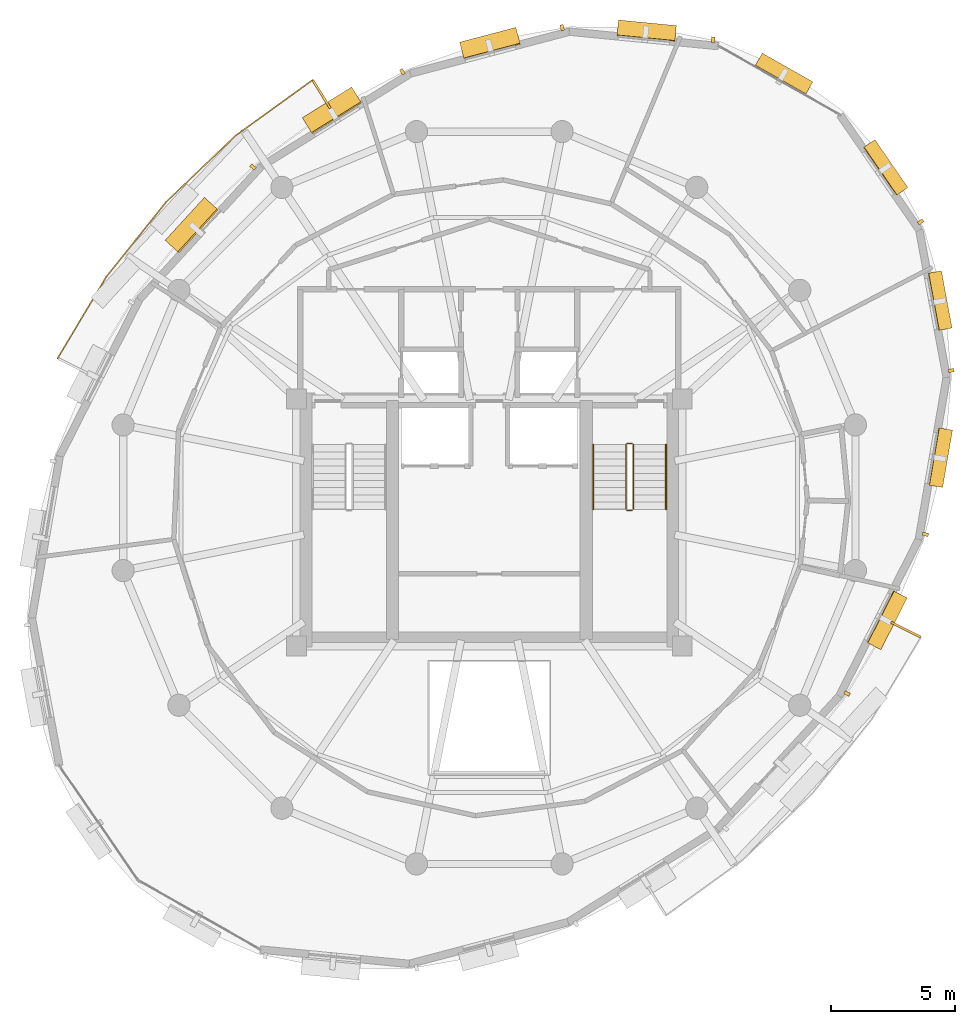
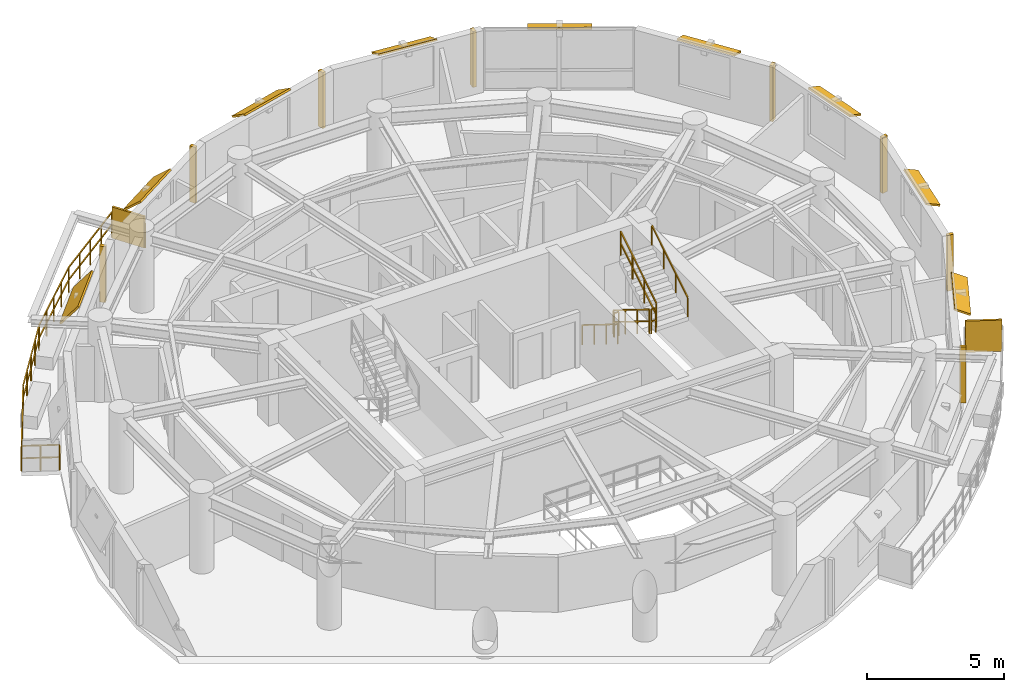
# One storey, part 12 of 12: 19 shading devices, 7 railings.
"""IFC4 building model written with IfcOpenShell, lengths in metres."""

from ifc_helpers import new_model, si_unit, direction, frame, origin, origin_2d, place, context, subcontext, project, spatial, rectangle, extrude, material, layer, layer_set, type_object, element, save


model = new_model("IFC4")

# Units and contexts
model_context = context("Model", 3, precision=1e-05, world=origin(), true_north=direction((0.0, 1.0)))
body_context = subcontext(model_context, "Body", "Model", "MODEL_VIEW")
ifc_project = project(units=[si_unit("LENGTHUNIT", "METRE"), si_unit("AREAUNIT", "SQUARE_METRE"), si_unit("VOLUMEUNIT", "CUBIC_METRE"), si_unit("PLANEANGLEUNIT", "RADIAN"), si_unit("MASSUNIT", "GRAM", prefix="KILO"), si_unit("THERMODYNAMICTEMPERATUREUNIT", "KELVIN"), si_unit("POWERUNIT", "WATT")], contexts=[model_context])

# Site, building, storey
site_placement = place(None, origin())
site = spatial("IfcSite", under=ifc_project, at=site_placement, CompositionType="ELEMENT")
building_placement = place(site_placement, origin())
building = spatial("IfcBuilding", under=site, at=building_placement, Name="Ocrelia Relay Tower", CompositionType="ELEMENT")
storey_placement = place(building_placement, frame((0.0, 0.0, 230.39990234375)))
storey = spatial("IfcBuildingStorey", under=building, at=storey_placement, Name="L56", CompositionType="ELEMENT", Elevation=230.39990234375)

# Railings
ifc_material_1 = material(Name="Steel S355 balustrade", Category="steel")
railing_type_1 = type_object("IfcRailingType", Name="RL-EXT-GUARD-1150", PredefinedType="GUARDRAIL", material=ifc_material_1)
railing_1_placement = place(storey_placement, frame((17.78173828125, 31.015625, 0.0)))
element("IfcRailing", 1, at=railing_1_placement, inside=storey, type_object=railing_type_1, Name="L56 Loggia Balcony Guard Rail B1", PredefinedType="GUARDRAIL", context=body_context, shape_type="SweptSolid", body=[
    extrude(rectangle(XDim=0.048095703125, YDim=0.048095703125, at=origin_2d()), frame((0.0, 0.0, 1.1259765625), z_axis=(-0.892456368806, 0.451133716073, 0.0), x_axis=(-0.451133716073, -0.892456368806, 0.0)), (0.0, 0.0, 1.0), 1.3935546875),
    extrude(rectangle(XDim=0.048095703125, YDim=0.048095703125, at=origin_2d()), frame((0.0, 0.0, 0.574951171875), z_axis=(-0.892456368806, 0.451133716073, 0.0), x_axis=(-0.451133716073, -0.892456368806, 0.0)), (0.0, 0.0, 1.0), 1.3935546875),
    extrude(rectangle(XDim=0.048095703125, YDim=0.048095703125, at=origin_2d()), frame((-1.24365234375, 0.628662109375, 1.1259765625), z_axis=(0.512868634031, 0.858467101424, 0.0), x_axis=(-0.858467101424, 0.512868634031, 0.0)), (0.0, 0.0, 1.0), 1.9208984375),
    extrude(rectangle(XDim=0.048095703125, YDim=0.048095703125, at=origin_2d()), frame((-1.24365234375, 0.628662109375, 0.574951171875), z_axis=(0.512868634031, 0.858467101424, 0.0), x_axis=(-0.858467101424, 0.512868634031, 0.0)), (0.0, 0.0, 1.0), 1.9208984375),
    extrude(rectangle(XDim=0.048095703125, YDim=0.048095703125, at=origin_2d()), frame((-0.258544921875, 2.277587890625, 1.1259765625), z_axis=(0.512962296898, 0.858411138069, 0.0), x_axis=(-0.858411138069, 0.512962296898, 0.0)), (0.0, 0.0, 1.0), 1.9208984375),
    extrude(rectangle(XDim=0.048095703125, YDim=0.048095703125, at=origin_2d()), frame((-0.258544921875, 2.277587890625, 0.574951171875), z_axis=(0.512962296898, 0.858411138069, 0.0), x_axis=(-0.858411138069, 0.512962296898, 0.0)), (0.0, 0.0, 1.0), 1.9208984375),
    extrude(rectangle(XDim=0.048095703125, YDim=0.048095703125, at=origin_2d()), frame((0.726806640625, 3.926513671875, 1.1259765625), z_axis=(0.624595333257, 0.780948570441, 0.0), x_axis=(-0.780948570441, 0.624595333257, 0.0)), (0.0, 0.0, 1.0), 3.8818359375),
    extrude(rectangle(XDim=0.048095703125, YDim=0.048095703125, at=origin_2d()), frame((0.726806640625, 3.926513671875, 0.574951171875), z_axis=(0.624595333257, 0.780948570441, 0.0), x_axis=(-0.780948570441, 0.624595333257, 0.0)), (0.0, 0.0, 1.0), 3.8818359375),
    extrude(rectangle(XDim=0.048095703125, YDim=0.048095703125, at=origin_2d()), frame((3.1513671875, 6.9580078125, 1.1259765625), z_axis=(0.7235154417, 0.690308196114, 0.0), x_axis=(-0.690308196114, 0.7235154417, 0.0)), (0.0, 0.0, 1.0), 3.8818359375),
    extrude(rectangle(XDim=0.048095703125, YDim=0.048095703125, at=origin_2d()), frame((3.1513671875, 6.9580078125, 0.574951171875), z_axis=(0.7235154417, 0.690308196114, 0.0), x_axis=(-0.690308196114, 0.7235154417, 0.0)), (0.0, 0.0, 1.0), 3.8818359375),
    extrude(rectangle(XDim=0.048095703125, YDim=0.048095703125, at=origin_2d()), frame((5.9599609375, 9.6376953125, 1.1259765625), z_axis=(0.810535085156, 0.585690085055, 0.0), x_axis=(-0.585690085055, 0.810535085156, 0.0)), (0.0, 0.0, 1.0), 1.9208984375),
    extrude(rectangle(XDim=0.048095703125, YDim=0.048095703125, at=origin_2d()), frame((5.9599609375, 9.6376953125, 0.574951171875), z_axis=(0.810535085156, 0.585690085055, 0.0), x_axis=(-0.585690085055, 0.810535085156, 0.0)), (0.0, 0.0, 1.0), 1.9208984375),
    extrude(rectangle(XDim=0.048095703125, YDim=0.048095703125, at=origin_2d()), frame((7.516845703125, 10.7626953125, 1.1259765625), z_axis=(0.810431130374, 0.585833920937, 0.0), x_axis=(-0.585833920937, 0.810431130374, 0.0)), (0.0, 0.0, 1.0), 1.920654296875),
    extrude(rectangle(XDim=0.048095703125, YDim=0.048095703125, at=origin_2d()), frame((7.516845703125, 10.7626953125, 0.574951171875), z_axis=(0.810431130374, 0.585833920937, 0.0), x_axis=(-0.585833920937, 0.810431130374, 0.0)), (0.0, 0.0, 1.0), 1.920654296875),
    extrude(rectangle(XDim=0.048095703125, YDim=0.048095703125, at=origin_2d()), frame((9.073486328125, 11.887939453125, 1.1259765625), z_axis=(0.527192759195, -0.849745723527, 0.0), x_axis=(0.849745723527, 0.527192759195, 0.0)), (0.0, 0.0, 1.0), 1.3935546875),
    extrude(rectangle(XDim=0.048095703125, YDim=0.048095703125, at=origin_2d()), frame((9.073486328125, 11.887939453125, 0.574951171875), z_axis=(0.527192759195, -0.849745723527, 0.0), x_axis=(0.849745723527, 0.527192759195, 0.0)), (0.0, 0.0, 1.0), 1.3935546875),
    extrude(rectangle(XDim=0.0419921875, YDim=0.0419921875, at=origin_2d()), origin(), (0.0, 0.0, 1.0), 1.101806640625),
    extrude(rectangle(XDim=0.0419921875, YDim=0.0419921875, at=origin_2d()), frame((-0.621826171875, 0.314453125, 0.0)), (0.0, 0.0, 1.0), 1.101806640625),
    extrude(rectangle(XDim=0.0419921875, YDim=0.0419921875, at=origin_2d()), frame((-1.24365234375, 0.628662109375, 0.0)), (0.0, 0.0, 1.0), 1.101806640625),
    extrude(rectangle(XDim=0.0419921875, YDim=0.0419921875, at=origin_2d()), frame((-0.7509765625, 1.453125, 0.0)), (0.0, 0.0, 1.0), 1.101806640625),
    extrude(rectangle(XDim=0.0419921875, YDim=0.0419921875, at=origin_2d()), frame((-0.258544921875, 2.277587890625, 0.0)), (0.0, 0.0, 1.0), 1.101806640625),
    extrude(rectangle(XDim=0.0419921875, YDim=0.0419921875, at=origin_2d()), frame((0.234130859375, 3.10205078125, 0.0)), (0.0, 0.0, 1.0), 1.101806640625),
    extrude(rectangle(XDim=0.0419921875, YDim=0.0419921875, at=origin_2d()), frame((0.726806640625, 3.926513671875, 0.0)), (0.0, 0.0, 1.0), 1.101806640625),
    extrude(rectangle(XDim=0.0419921875, YDim=0.0419921875, at=origin_2d()), frame((1.3330078125, 4.684326171875, 0.0)), (0.0, 0.0, 1.0), 1.101806640625),
    extrude(rectangle(XDim=0.0419921875, YDim=0.0419921875, at=origin_2d()), frame((1.93896484375, 5.4423828125, 0.0)), (0.0, 0.0, 1.0), 1.101806640625),
    extrude(rectangle(XDim=0.0419921875, YDim=0.0419921875, at=origin_2d()), frame((2.545166015625, 6.2001953125, 0.0)), (0.0, 0.0, 1.0), 1.101806640625),
    extrude(rectangle(XDim=0.0419921875, YDim=0.0419921875, at=origin_2d()), frame((3.1513671875, 6.9580078125, 0.0)), (0.0, 0.0, 1.0), 1.101806640625),
    extrude(rectangle(XDim=0.0419921875, YDim=0.0419921875, at=origin_2d()), frame((3.853515625, 7.6279296875, 0.0)), (0.0, 0.0, 1.0), 1.101806640625),
    extrude(rectangle(XDim=0.0419921875, YDim=0.0419921875, at=origin_2d()), frame((4.5556640625, 8.2978515625, 0.0)), (0.0, 0.0, 1.0), 1.101806640625),
    extrude(rectangle(XDim=0.0419921875, YDim=0.0419921875, at=origin_2d()), frame((5.2578125, 8.9677734375, 0.0)), (0.0, 0.0, 1.0), 1.101806640625),
    extrude(rectangle(XDim=0.0419921875, YDim=0.0419921875, at=origin_2d()), frame((5.9599609375, 9.6376953125, 0.0)), (0.0, 0.0, 1.0), 1.101806640625),
    extrude(rectangle(XDim=0.0419921875, YDim=0.0419921875, at=origin_2d()), frame((6.73828125, 10.2001953125, 0.0)), (0.0, 0.0, 1.0), 1.101806640625),
    extrude(rectangle(XDim=0.0419921875, YDim=0.0419921875, at=origin_2d()), frame((7.516845703125, 10.7626953125, 0.0)), (0.0, 0.0, 1.0), 1.101806640625),
    extrude(rectangle(XDim=0.0419921875, YDim=0.0419921875, at=origin_2d()), frame((8.295166015625, 11.3251953125, 0.0)), (0.0, 0.0, 1.0), 1.101806640625),
    extrude(rectangle(XDim=0.0419921875, YDim=0.0419921875, at=origin_2d()), frame((9.073486328125, 11.887939453125, 0.0)), (0.0, 0.0, 1.0), 1.101806640625),
    extrude(rectangle(XDim=0.0419921875, YDim=0.0419921875, at=origin_2d()), frame((9.44091796875, 11.2958984375, 0.0)), (0.0, 0.0, 1.0), 1.101806640625),
    extrude(rectangle(XDim=0.0419921875, YDim=0.0419921875, at=origin_2d()), frame((9.80810546875, 10.703857421875, 0.0)), (0.0, 0.0, 1.0), 1.101806640625),
])
railing_type_2 = type_object("IfcRailingType", Name="RL-STAIR-GUARD", PredefinedType="GUARDRAIL", material=ifc_material_1)
railing_2_placement = place(storey_placement, frame((39.530029296875, 28.14990234375, 0.18017578125)))
element("IfcRailing", 2, at=railing_2_placement, inside=storey, type_object=railing_type_2, Name="L56 ST2 stair guard 1", PredefinedType="GUARDRAIL", context=body_context, shape_type="SweptSolid", body=[
    extrude(rectangle(XDim=0.048095703125, YDim=0.048095703125, at=origin_2d()), frame((0.0, 0.0, 1.076171875), z_axis=(0.0, -0.849646306263, 0.527352969322), x_axis=(1.0, 0.0, 0.0)), (0.0, 0.0, 1.0), 3.07177734375),
    extrude(rectangle(XDim=0.048095703125, YDim=0.048095703125, at=origin_2d()), frame((0.0, 0.0, 0.550048828125), z_axis=(0.0, -0.849646306263, 0.527352969322), x_axis=(1.0, 0.0, 0.0)), (0.0, 0.0, 1.0), 3.07177734375),
    extrude(rectangle(XDim=0.0419921875, YDim=0.0419921875, at=origin_2d()), origin(), (0.0, 0.0, 1.0), 1.052001953125),
    extrude(rectangle(XDim=0.0419921875, YDim=0.0419921875, at=origin_2d()), frame((0.0, -0.869873046875, 0.5400390625)), (0.0, 0.0, 1.0), 1.052001953125),
    extrude(rectangle(XDim=0.0419921875, YDim=0.0419921875, at=origin_2d()), frame((0.0, -1.739990234375, 1.079833984375)), (0.0, 0.0, 1.0), 1.052001953125),
    extrude(rectangle(XDim=0.0419921875, YDim=0.0419921875, at=origin_2d()), frame((0.0, -2.60986328125, 1.619873046875)), (0.0, 0.0, 1.0), 1.052001953125),
])
railing_3_placement = place(storey_placement, frame((39.580078125, 25.489990234375, 1.800048828125)))
element("IfcRailing", 3, at=railing_3_placement, inside=storey, type_object=railing_type_2, Name="L56 ST2 stair guard 2", PredefinedType="GUARDRAIL", context=body_context, shape_type="SweptSolid", body=[
    extrude(rectangle(XDim=0.048095703125, YDim=0.048095703125, at=origin_2d()), frame((0.0, 0.0, 1.076171875), z_axis=(1.0, 0.0, 0.0), x_axis=(0.0, 1.0, 0.0)), (0.0, 0.0, 1.0), 0.199951171875),
    extrude(rectangle(XDim=0.048095703125, YDim=0.048095703125, at=origin_2d()), frame((0.0, 0.0, 0.550048828125), z_axis=(1.0, 0.0, 0.0), x_axis=(0.0, 1.0, 0.0)), (0.0, 0.0, 1.0), 0.199951171875),
    extrude(rectangle(XDim=0.0419921875, YDim=0.0419921875, at=origin_2d()), origin(), (0.0, 0.0, 1.0), 1.052001953125),
    extrude(rectangle(XDim=0.0419921875, YDim=0.0419921875, at=origin_2d()), frame((0.199951171875, 0.0, 0.0)), (0.0, 0.0, 1.0), 1.052001953125),
])
railing_4_placement = place(storey_placement, frame((39.830078125, 25.5400390625, 1.97998046875)))
element("IfcRailing", 4, at=railing_4_placement, inside=storey, type_object=railing_type_2, Name="L56 ST2 stair guard 3", PredefinedType="GUARDRAIL", context=body_context, shape_type="SweptSolid", body=[
    extrude(rectangle(XDim=0.048095703125, YDim=0.048095703125, at=origin_2d()), frame((0.0, 0.0, 1.076171875), z_axis=(0.0, 0.849610693518, 0.52741034258), x_axis=(-1.0, 0.0, 0.0)), (0.0, 0.0, 1.0), 3.07177734375),
    extrude(rectangle(XDim=0.048095703125, YDim=0.048095703125, at=origin_2d()), frame((0.0, 0.0, 0.550048828125), z_axis=(0.0, 0.849610693518, 0.52741034258), x_axis=(-1.0, 0.0, 0.0)), (0.0, 0.0, 1.0), 3.07177734375),
    extrude(rectangle(XDim=0.0419921875, YDim=0.0419921875, at=origin_2d()), origin(), (0.0, 0.0, 1.0), 1.052001953125),
    extrude(rectangle(XDim=0.0419921875, YDim=0.0419921875, at=origin_2d()), frame((0.0, 0.869873046875, 0.5400390625)), (0.0, 0.0, 1.0), 1.052001953125),
    extrude(rectangle(XDim=0.0419921875, YDim=0.0419921875, at=origin_2d()), frame((0.0, 1.739990234375, 1.080078125)), (0.0, 0.0, 1.0), 1.052001953125),
    extrude(rectangle(XDim=0.0419921875, YDim=0.0419921875, at=origin_2d()), frame((0.0, 2.60986328125, 1.6201171875)), (0.0, 0.0, 1.0), 1.052001953125),
])
railing_5_placement = place(storey_placement, frame((39.580078125, 28.199951171875, 0.0)))
element("IfcRailing", 5, at=railing_5_placement, inside=storey, type_object=railing_type_2, Name="L56 ST2 stair guard 4", PredefinedType="GUARDRAIL", context=body_context, shape_type="SweptSolid", body=[
    extrude(rectangle(XDim=0.048095703125, YDim=0.048095703125, at=origin_2d()), frame((0.0, 0.0, 1.076171875), z_axis=(1.0, 0.0, 0.0), x_axis=(0.0, 1.0, 0.0)), (0.0, 0.0, 1.0), 0.199951171875),
    extrude(rectangle(XDim=0.048095703125, YDim=0.048095703125, at=origin_2d()), frame((0.0, 0.0, 0.550048828125), z_axis=(1.0, 0.0, 0.0), x_axis=(0.0, 1.0, 0.0)), (0.0, 0.0, 1.0), 0.199951171875),
    extrude(rectangle(XDim=0.0419921875, YDim=0.0419921875, at=origin_2d()), origin(), (0.0, 0.0, 1.0), 1.052001953125),
    extrude(rectangle(XDim=0.0419921875, YDim=0.0419921875, at=origin_2d()), frame((0.199951171875, 0.0, 0.0)), (0.0, 0.0, 1.0), 1.052001953125),
])
ifc_material_2 = material(Name="Steel S355 tubular handrail", Category="steel")
railing_type_3 = type_object("IfcRailingType", Name="RL-STAIR-HAND", PredefinedType="HANDRAIL", material=ifc_material_2)
railing_6_placement = place(storey_placement, frame((38.2099609375, 28.14990234375, 0.18017578125)))
element("IfcRailing", 6, at=railing_6_placement, inside=storey, type_object=railing_type_3, Name="L56 ST2 stair handrail 1", PredefinedType="HANDRAIL", context=body_context, shape_type="SweptSolid", body=[
    extrude(rectangle(XDim=0.048095703125, YDim=0.048095703125, at=origin_2d()), frame((0.0, 0.0, 0.8759765625), z_axis=(0.0, -0.849646306263, 0.527352969322), x_axis=(1.0, 0.0, 0.0)), (0.0, 0.0, 1.0), 3.07177734375),
    extrude(rectangle(XDim=0.0419921875, YDim=0.0419921875, at=origin_2d()), origin(), (0.0, 0.0, 1.0), 0.851806640625),
    extrude(rectangle(XDim=0.0419921875, YDim=0.0419921875, at=origin_2d()), frame((0.0, -0.869873046875, 0.5400390625)), (0.0, 0.0, 1.0), 0.851806640625),
    extrude(rectangle(XDim=0.0419921875, YDim=0.0419921875, at=origin_2d()), frame((0.0, -1.739990234375, 1.079833984375)), (0.0, 0.0, 1.0), 0.851806640625),
    extrude(rectangle(XDim=0.0419921875, YDim=0.0419921875, at=origin_2d()), frame((0.0, -2.60986328125, 1.619873046875)), (0.0, 0.0, 1.0), 0.851806640625),
])
railing_7_placement = place(storey_placement, frame((41.14990234375, 25.5400390625, 1.97998046875)))
element("IfcRailing", 7, at=railing_7_placement, inside=storey, type_object=railing_type_3, Name="L56 ST2 stair handrail 2", PredefinedType="HANDRAIL", context=body_context, shape_type="SweptSolid", body=[
    extrude(rectangle(XDim=0.048095703125, YDim=0.048095703125, at=origin_2d()), frame((0.0, 0.0, 0.8759765625), z_axis=(0.0, 0.849610693518, 0.52741034258), x_axis=(-1.0, 0.0, 0.0)), (0.0, 0.0, 1.0), 3.07177734375),
    extrude(rectangle(XDim=0.0419921875, YDim=0.0419921875, at=origin_2d()), origin(), (0.0, 0.0, 1.0), 0.851806640625),
    extrude(rectangle(XDim=0.0419921875, YDim=0.0419921875, at=origin_2d()), frame((0.0, 0.869873046875, 0.5400390625)), (0.0, 0.0, 1.0), 0.851806640625),
    extrude(rectangle(XDim=0.0419921875, YDim=0.0419921875, at=origin_2d()), frame((0.0, 1.739990234375, 1.080078125)), (0.0, 0.0, 1.0), 0.851806640625),
    extrude(rectangle(XDim=0.0419921875, YDim=0.0419921875, at=origin_2d()), frame((0.0, 2.60986328125, 1.6201171875)), (0.0, 0.0, 1.0), 0.851806640625),
])

# Shading devices
ifc_material_3 = material(Name="Perforated oxide terracotta solar screen", Category="masonry")
ifc_layer_1 = layer(ifc_material_3, 0.090087890625, Name="Perforated oxide terracotta solar screen")
ifc_layer_set_1 = layer_set([ifc_layer_1], Name="Perforated oxide terracotta solar screen")
shading_device_type_1 = type_object("IfcShadingDeviceType", Name="SH-BALC-SCREEN", PredefinedType="USERDEFINED", material=ifc_layer_set_1)
for number, where, z_axis, x_axis, name in (
    (8, (27.222412109375, 42.3115234375, 0.000244140625), (0.0, 0.0, 1.0), (-0.527209213766, 0.849735514687, 0.0), "L56 Balcony Perforated Terracotta Screen B1-1"),
    (9, (50.840087890625, 20.669921875, 0.000244140625), (0.0, 0.0, 1.0), (0.892466669124, -0.451113338866, 0.0), "L56 Balcony Perforated Terracotta Screen B2-2"),
):
    element("IfcShadingDevice", number, at=place(storey_placement, frame(where, z_axis=z_axis, x_axis=x_axis)), inside=storey, type_object=shading_device_type_1, Name=name, ObjectType="SCREEN", PredefinedType="USERDEFINED", context=body_context, shape_type="SweptSolid", body=[
        extrude(rectangle(XDim=1.340087890625, YDim=0.090087890625, at=origin_2d()), origin(), (0.0, 0.0, 1.0), 1.39990234375),
    ])
ifc_material_4 = material(Name="Extruded oxide terracotta vertical baguette", Category="masonry")
shading_device_type_2 = type_object("IfcShadingDeviceType", Name="SH-TERR-BAGUETTE", PredefinedType="USERDEFINED", material=ifc_material_4)
for number, where, z_axis, x_axis, name in (
    (10, (43.05517578125, 44.521240234375, 0.130126953125), (0.0, 0.0, 1.0), (-0.995366071038, 0.096158123039, 0.0), "L56 Oxide Terracotta Vertical Baguette 02"),
    (11, (36.947509765625, 45.013427734375, 0.130126953125), (0.0, 0.0, 1.0), (-0.96706459219, -0.254531087556, 0.0), "L56 Oxide Terracotta Vertical Baguette 03"),
    (12, (30.488525390625, 43.2294921875, 0.130126953125), (0.0, 0.0, 1.0), (-0.848887747124, -0.528573166916, 0.0), "L56 Oxide Terracotta Vertical Baguette 04"),
    (13, (24.442138671875, 39.378662109375, 0.130126953125), (0.0, 0.0, 1.0), (-0.675589882971, -0.737277634292, 0.0), "L56 Oxide Terracotta Vertical Baguette 05"),
    (14, (48.467041015625, 18.086669921875, 0.130126953125), (0.0, 0.0, 1.0), (0.452574254264, 0.891726720682, 0.0), "L56 Oxide Terracotta Vertical Baguette 15"),
    (15, (51.640869140625, 24.519287109375, 0.130126953125), (0.0, 0.0, 1.0), (0.169288865435, 0.985566476723, 0.0), "L56 Oxide Terracotta Vertical Baguette 16"),
    (16, (52.680419921875, 31.14697265625, 0.130126953125), (0.0, 0.0, 1.0), (-0.182551188178, 0.98319635053, 0.0), "L56 Oxide Terracotta Vertical Baguette 17"),
    (17, (51.44482421875, 37.156982421875, 0.130126953125), (0.0, 0.0, 1.0), (-0.567086774101, 0.823658054438, 0.0), "L56 Oxide Terracotta Vertical Baguette 18"),
):
    element("IfcShadingDevice", number, at=place(storey_placement, frame(where, z_axis=z_axis, x_axis=x_axis)), inside=storey, type_object=shading_device_type_2, Name=name, ObjectType="BAGUETTE", PredefinedType="USERDEFINED", context=body_context, shape_type="SweptSolid", body=[
        extrude(rectangle(XDim=0.139892578125, YDim=0.239990234375, at=origin_2d()), origin(), (0.0, 0.0, 1.0), 2.5),
    ])
ifc_material_5 = material(Name="Extruded oxide terracotta fin", Category="masonry")
ifc_layer_2 = layer(ifc_material_5, 0.080078125, Name="Extruded oxide terracotta fin")
ifc_layer_set_2 = layer_set([ifc_layer_2], Name="Extruded oxide terracotta fin")
shading_device_type_3 = type_object("IfcShadingDeviceType", Name="SH-VISOR-FIN-MED", PredefinedType="USERDEFINED", material=ifc_layer_set_2)
shading_device_1_placement = place(storey_placement, frame((34.031982421875, 44.364501953125, 2.566162109375), z_axis=(-0.13423988037, 0.510030568025, 0.849616663089), x_axis=(-0.96706459219, -0.254531087556, 0.0)))
element("IfcShadingDevice", 18, at=shading_device_1_placement, inside=storey, type_object=shading_device_type_3, Name="L56 Canted Terracotta Sun-Visor Fin 03", ObjectType="FIN", PredefinedType="USERDEFINED", context=body_context, shape_type="SweptSolid", body=[
    extrude(rectangle(XDim=2.35009765625, YDim=0.780029296875, at=origin_2d()), origin(), (0.0, 0.0, 1.0), 0.080078125),
])
shading_device_2_placement = place(storey_placement, frame((27.6494140625, 41.648193359375, 2.56982421875), z_axis=(-0.345310757335, 0.554568580472, 0.757109087531), x_axis=(-0.848887747124, -0.528573166916, 0.0)))
element("IfcShadingDevice", 19, at=shading_device_2_placement, inside=storey, type_object=shading_device_type_3, Name="L56 Canted Terracotta Sun-Visor Fin 04", ObjectType="FIN", PredefinedType="USERDEFINED", context=body_context, shape_type="SweptSolid", body=[
    extrude(rectangle(XDim=2.35009765625, YDim=0.929931640625, at=origin_2d()), origin(), (0.0, 0.0, 1.0), 0.080078125),
])
shading_device_3_placement = place(storey_placement, frame((21.987548828125, 37.007568359375, 2.574951171875), z_axis=(-0.574427154314, 0.526365043381, 0.626875813454), x_axis=(-0.675589882971, -0.737277634292, 0.0)))
element("IfcShadingDevice", 20, at=shading_device_3_placement, inside=storey, type_object=shading_device_type_3, Name="L56 Canted Terracotta Sun-Visor Fin 05", ObjectType="FIN", PredefinedType="USERDEFINED", context=body_context, shape_type="SweptSolid", body=[
    extrude(rectangle(XDim=2.35009765625, YDim=1.10302734375, at=origin_2d()), origin(), (0.0, 0.0, 1.0), 0.080078125),
])
ifc_layer_3 = layer(ifc_material_5, 0.080078125, Name="Extruded oxide terracotta fin")
ifc_layer_set_3 = layer_set([ifc_layer_3], Name="Extruded oxide terracotta fin")
shading_device_type_4 = type_object("IfcShadingDeviceType", Name="SH-VISOR-FIN-SHAL", PredefinedType="USERDEFINED", material=ifc_layer_set_3)
shading_device_4_placement = place(storey_placement, frame((45.910400390625, 43.133544921875, 2.562744140625), z_axis=(0.178815600917, 0.315442938826, 0.931944597717), x_axis=(-0.869945755345, 0.493147424972, 0.0)))
element("IfcShadingDevice", 21, at=shading_device_4_placement, inside=storey, type_object=shading_device_type_4, Name="L56 Canted Terracotta Sun-Visor Fin 01", ObjectType="FIN", PredefinedType="USERDEFINED", context=body_context, shape_type="SweptSolid", body=[
    extrude(rectangle(XDim=2.35009765625, YDim=0.60400390625, at=origin_2d()), origin(), (0.0, 0.0, 1.0), 0.080078125),
])
shading_device_5_placement = place(storey_placement, frame((40.36474609375, 44.8740234375, 2.56396484375), z_axis=(0.041306229109, 0.427575099001, 0.903035619536), x_axis=(-0.995366071038, 0.096158123039, 0.0)))
element("IfcShadingDevice", 22, at=shading_device_5_placement, inside=storey, type_object=shading_device_type_4, Name="L56 Canted Terracotta Sun-Visor Fin 02", ObjectType="FIN", PredefinedType="USERDEFINED", context=body_context, shape_type="SweptSolid", body=[
    extrude(rectangle(XDim=2.35009765625, YDim=0.674072265625, at=origin_2d()), origin(), (0.0, 0.0, 1.0), 0.080078125),
])
shading_device_6_placement = place(storey_placement, frame((50.07666015625, 21.0556640625, 2.5634765625), z_axis=(0.365397358704, -0.185448560966, 0.912191647346), x_axis=(0.452574254264, 0.891726720682, 0.0)))
element("IfcShadingDevice", 23, at=shading_device_6_placement, inside=storey, type_object=shading_device_type_4, Name="L56 Canted Terracotta Sun-Visor Fin 15", ObjectType="FIN", PredefinedType="USERDEFINED", context=body_context, shape_type="SweptSolid", body=[
    extrude(rectangle(XDim=2.35009765625, YDim=0.653076171875, at=origin_2d()), origin(), (0.0, 0.0, 1.0), 0.080078125),
])
shading_device_7_placement = place(storey_placement, frame((52.2421875, 27.6259765625, 2.562255859375), z_axis=(0.32801578588, -0.056342643087, 0.942990535893), x_axis=(0.169288865435, 0.985566476723, 0.0)))
element("IfcShadingDevice", 24, at=shading_device_7_placement, inside=storey, type_object=shading_device_type_4, Name="L56 Canted Terracotta Sun-Visor Fin 16", ObjectType="FIN", PredefinedType="USERDEFINED", context=body_context, shape_type="SweptSolid", body=[
    extrude(rectangle(XDim=2.35009765625, YDim=0.573974609375, at=origin_2d()), origin(), (0.0, 0.0, 1.0), 0.080078125),
])
shading_device_8_placement = place(storey_placement, frame((52.220458984375, 33.972412109375, 2.56201171875), z_axis=(0.303987577919, 0.056441720426, 0.95100256817), x_axis=(-0.182551188178, 0.98319635053, 0.0)))
element("IfcShadingDevice", 25, at=shading_device_8_placement, inside=storey, type_object=shading_device_type_4, Name="L56 Canted Terracotta Sun-Visor Fin 17", ObjectType="FIN", PredefinedType="USERDEFINED", context=body_context, shape_type="SweptSolid", body=[
    extrude(rectangle(XDim=2.35009765625, YDim=0.550048828125, at=origin_2d()), origin(), (0.0, 0.0, 1.0), 0.080078125),
])
shading_device_9_placement = place(storey_placement, frame((50.022705078125, 39.351806640625, 2.562255859375), z_axis=(0.265436735546, 0.182752613512, 0.946649260116), x_axis=(-0.567086774101, 0.823658054438, 0.0)))
element("IfcShadingDevice", 26, at=shading_device_9_placement, inside=storey, type_object=shading_device_type_4, Name="L56 Canted Terracotta Sun-Visor Fin 18", ObjectType="FIN", PredefinedType="USERDEFINED", context=body_context, shape_type="SweptSolid", body=[
    extrude(rectangle(XDim=2.35009765625, YDim=0.56298828125, at=origin_2d()), origin(), (0.0, 0.0, 1.0), 0.080078125),
])

save(model, "model.ifc")
